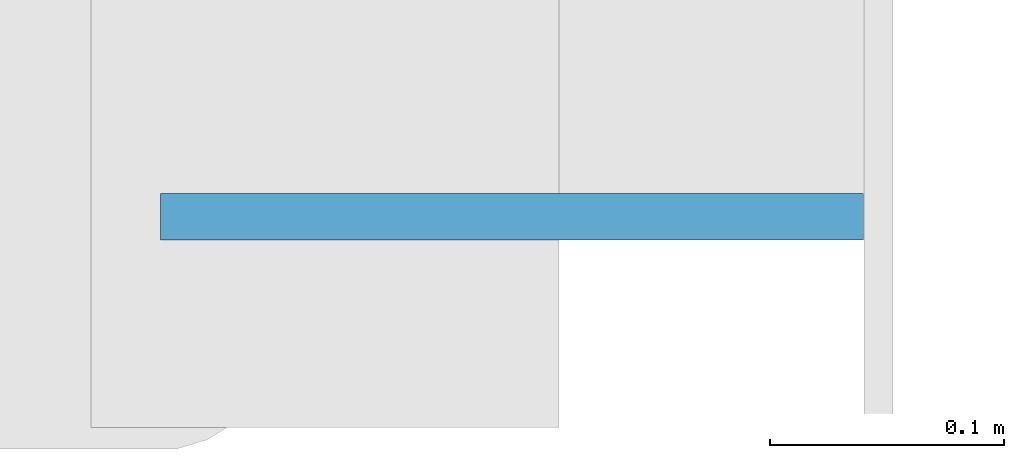
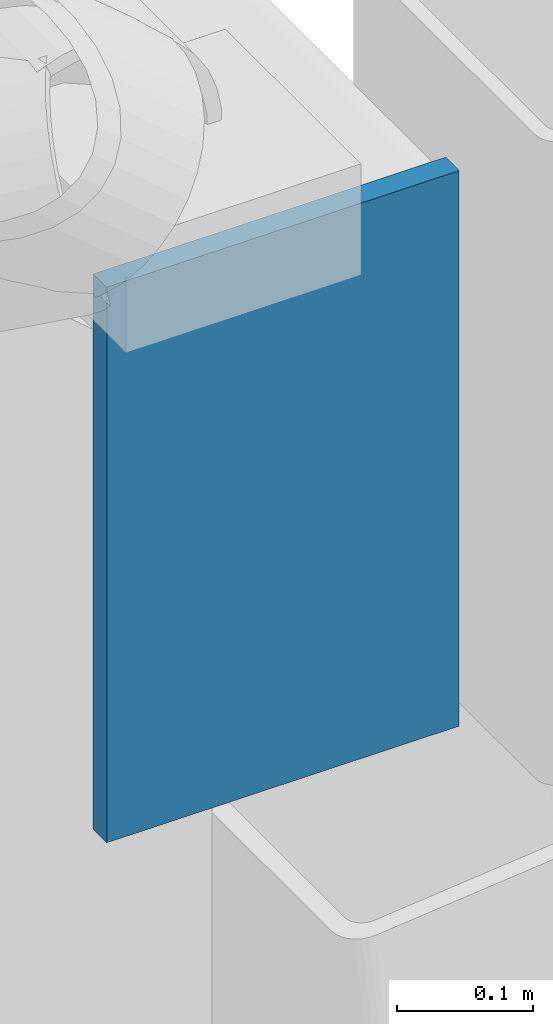
# One storey, part 100 of 141: 1 plate.
"""IFC4 building model written with IfcOpenShell, lengths in metres."""

from ifc_helpers import new_model, si_unit, direction, frame, origin, origin_2d, place, context, subcontext, project, spatial, rectangle, extrude, material, layer, layer_set, type_object, element, save


model = new_model("IFC4")

# Units and contexts
model_context = context("Model", 3, precision=1e-05, world=origin(), true_north=direction((0.0, 1.0)))
body_context = subcontext(model_context, "Body", "Model", "MODEL_VIEW")
ifc_project = project(units=[si_unit("LENGTHUNIT", "METRE"), si_unit("AREAUNIT", "SQUARE_METRE"), si_unit("VOLUMEUNIT", "CUBIC_METRE"), si_unit("PLANEANGLEUNIT", "RADIAN"), si_unit("MASSUNIT", "GRAM", prefix="KILO")], contexts=[model_context])

# Site, building, storey
site_placement = place(None, origin())
site = spatial("IfcSite", under=ifc_project, at=site_placement, CompositionType="ELEMENT")
building_placement = place(site_placement, origin())
building = spatial("IfcBuilding", under=site, at=building_placement, Name="Lantern Court Media Centre", CompositionType="ELEMENT")
storey_placement = place(building_placement, frame((0.0, 0.0, 9.60009765625)))
storey = spatial("IfcBuildingStorey", under=building, at=storey_placement, Name="L02", CompositionType="ELEMENT", Elevation=9.60009765625)

# Plate
ifc_material = material(Name="Steel S355J2 (EN 10025-2)", Category="steel")
ifc_layer = layer(ifc_material, 0.02001953125)
ifc_layer_set = layer_set([ifc_layer], Name="Steel S355J2 (EN 10025-2)")
plate_type = type_object("IfcPlateType", Name="Steel end plate 20", PredefinedType="SHEET", material=ifc_layer_set)
plate_placement = place(storey_placement, frame((104.14990234375, -2.010009765625, 4.199951171875), z_axis=(0.0, 0.0, 1.0), x_axis=(1.0, 0.0, 0.0)))
element("IfcPlate", 1, at=plate_placement, inside=storey, type_object=plate_type, Name="Studio Hall edge girder end plate east south", PredefinedType="SHEET", context=body_context, shape_type="SweptSolid", body=[
    extrude(rectangle(XDim=0.300048828125, YDim=0.02001953125, at=origin_2d()), origin(), (0.0, 0.0, 1.0), 0.5),
])

save(model, "model.ifc")
